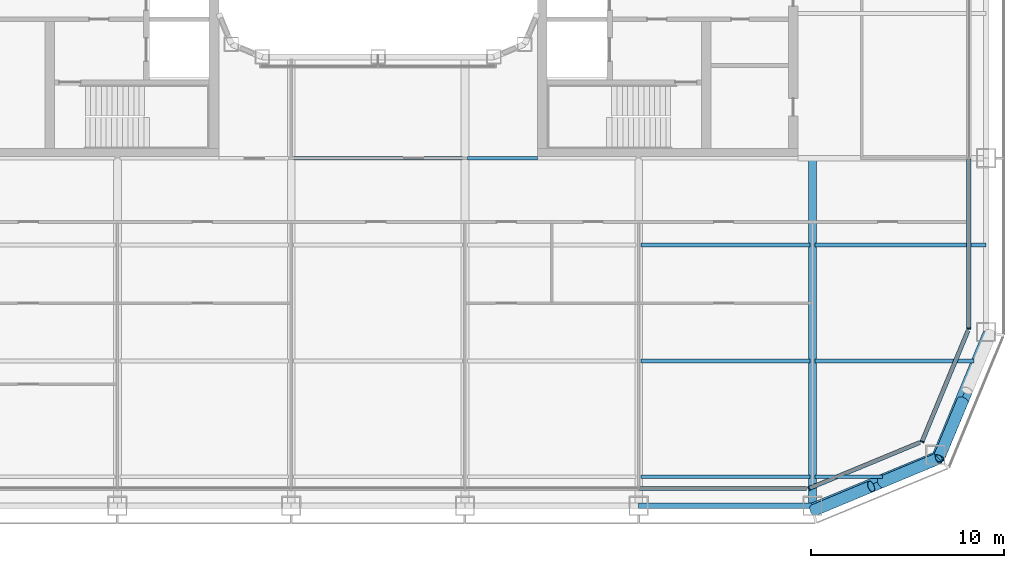
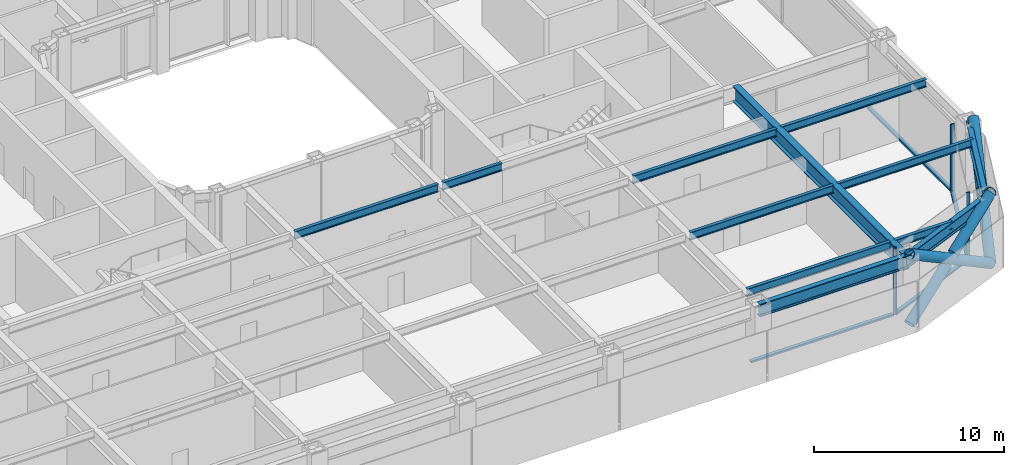
# One storey, part 4 of 28: 12 beams, 12 members, 4 elements without a shape of their own.
"""IFC4 building model written with IfcOpenShell, lengths in metres."""

from ifc_helpers import new_model, si_unit, direction, frame, origin, origin_2d, place, context, subcontext, project, spatial, rectangle, hollow_circle, i_section, extrude, material, layer, layer_set, material_profile, profile_set, type_object, element, aggregate, save


model = new_model("IFC4")

# Units and contexts
model_context = context("Model", 3, precision=1e-05, world=origin(), true_north=direction((0.0, 1.0)))
body_context = subcontext(model_context, "Body", "Model", "MODEL_VIEW")
ifc_project = project(units=[si_unit("LENGTHUNIT", "METRE"), si_unit("AREAUNIT", "SQUARE_METRE"), si_unit("VOLUMEUNIT", "CUBIC_METRE"), si_unit("PLANEANGLEUNIT", "RADIAN"), si_unit("MASSUNIT", "GRAM", prefix="KILO")], contexts=[model_context])

# Site, building, storey
site_placement = place(None, origin())
site = spatial("IfcSite", under=ifc_project, at=site_placement, CompositionType="ELEMENT")
building_placement = place(site_placement, origin())
building = spatial("IfcBuilding", under=site, at=building_placement, Name="Siwar Civic Tower", CompositionType="ELEMENT")
storey_placement = place(building_placement, frame((0.0, 0.0, 85.199951171875)))
storey = spatial("IfcBuildingStorey", under=building, at=storey_placement, Name="L18", CompositionType="ELEMENT", Elevation=85.199951171875)

# Curtain wall, member
ifc_material_1 = material(Name="Aluminium clad insulated panel", Category="aluminium")
ifc_layer_1 = layer(ifc_material_1, 0.219970703125)
ifc_layer_set_1 = layer_set([ifc_layer_1], Name="Aluminium clad insulated panel")
curtain_wall_type_1 = type_object("IfcCurtainWallType", Name="ENV-CW-AX", PredefinedType="NOTDEFINED", material=ifc_layer_set_1)
curtain_wall_1_placement = place(storey_placement, origin())
curtain_wall_1 = element("IfcCurtainWall", 1, at=curtain_wall_1_placement, inside=storey, type_object=curtain_wall_type_1, Name="Curtain wall A SE1", PredefinedType="NOTDEFINED")
ifc_material_2 = material(Name="Aluminium 6063-T6", Category="aluminium")
ifc_material_profile_1 = material_profile(ifc_material_2, rectangle(XDim=0.219970703125, YDim=0.070068359375, at=origin_2d()), Name="AL 220x70")
ifc_profile_set_1 = profile_set([ifc_material_profile_1], Name="Aluminium 6063-T6")
member_type_1 = type_object("IfcMemberType", Name="ENV-MULLION-A", PredefinedType="MULLION", material=ifc_profile_set_1)
member_1_placement = place(storey_placement, frame((22.321044921875, -30.60009765625, 0.0), z_axis=(0.0, 0.0, 1.0), x_axis=(-0.382683432365, 0.923879532511, 0.0)))
member_1 = element("IfcMember", 2, at=member_1_placement, type_object=member_type_1, Name="Mullion A SE1 1", PredefinedType="MULLION", context=body_context, shape_type="SweptSolid", body=[
    extrude(rectangle(XDim=0.219970703125, YDim=0.070068359375, at=origin_2d()), origin(), (0.0, 0.0, 1.0), 4.35009765625),
])

curtain_wall_2_placement = place(storey_placement, origin())
curtain_wall_2 = element("IfcCurtainWall", 3, at=curtain_wall_2_placement, inside=storey, type_object=curtain_wall_type_1, Name="Curtain wall A SE2", PredefinedType="NOTDEFINED")
member_2_placement = place(storey_placement, frame((28.175048828125, -28.175048828125, 0.0), z_axis=(0.0, 0.0, 1.0), x_axis=(-0.923879532511, 0.382683432365, 0.0)))
member_2 = element("IfcMember", 4, at=member_2_placement, type_object=member_type_1, Name="Mullion A SE2 1", PredefinedType="MULLION", context=body_context, shape_type="SweptSolid", body=[
    extrude(rectangle(XDim=0.219970703125, YDim=0.070068359375, at=origin_2d()), origin(), (0.0, 0.0, 1.0), 4.35009765625),
])

ifc_material_3 = material(Name="Aluminium and glass", Category="aluminium")
ifc_layer_2 = layer(ifc_material_3, 0.219970703125)
ifc_layer_set_2 = layer_set([ifc_layer_2], Name="Aluminium and glass")
curtain_wall_type_2 = type_object("IfcCurtainWallType", Name="ENV-CW-A", PredefinedType="NOTDEFINED", material=ifc_layer_set_2)
curtain_wall_3_placement = place(storey_placement, origin())
curtain_wall_3 = element("IfcCurtainWall", 5, at=curtain_wall_3_placement, inside=storey, type_object=curtain_wall_type_2, Name="Curtain wall A E", PredefinedType="NOTDEFINED")
member_3_placement = place(storey_placement, frame((30.60009765625, -22.321044921875, 0.0), z_axis=(0.0, 0.0, 1.0), x_axis=(-1.0, 0.0, 0.0)))
member_3 = element("IfcMember", 6, at=member_3_placement, type_object=member_type_1, Name="Mullion A E 1", PredefinedType="MULLION", context=body_context, shape_type="SweptSolid", body=[
    extrude(rectangle(XDim=0.219970703125, YDim=0.070068359375, at=origin_2d()), origin(), (0.0, 0.0, 1.0), 4.35009765625),
])

curtain_wall_4_placement = place(storey_placement, origin())
curtain_wall_4 = element("IfcCurtainWall", 7, at=curtain_wall_4_placement, inside=storey, type_object=curtain_wall_type_2, Name="Curtain wall A S", PredefinedType="NOTDEFINED")
ifc_material_4 = material(Name="Aluminium 6063-T6", Category="aluminium")
ifc_material_profile_2 = material_profile(ifc_material_4, rectangle(XDim=0.219970703125, YDim=0.1201171875, at=origin_2d()), Name="AL 220x120")
ifc_profile_set_2 = profile_set([ifc_material_profile_2], Name="Aluminium 6063-T6")
member_type_2 = type_object("IfcMemberType", Name="ENV-TRANSOM-A", PredefinedType="USERDEFINED", material=ifc_profile_set_2)
member_4_placement = place(storey_placement, frame((13.534912109375, -30.60009765625, 0.06005859375), z_axis=(1.0, 0.0, 0.0), x_axis=(0.0, 1.0, 0.0)))
member_4 = element("IfcMember", 8, at=member_4_placement, type_object=member_type_2, Name="Transom A S 5", ObjectType="TRANSOM", PredefinedType="USERDEFINED", context=body_context, shape_type="SweptSolid", body=[
    extrude(rectangle(XDim=0.219970703125, YDim=0.1201171875, at=origin_2d()), origin(), (0.0, 0.0, 1.0), 8.66357421875),
])
aggregate(curtain_wall_4, [member_4])

# Member
member_5_placement = place(storey_placement, frame((22.353271484375, -30.586669921875, 0.06005859375), z_axis=(0.923873326341, 0.382698415042, 0.0), x_axis=(-0.382698415042, 0.923873326341, 0.0)))
member_5 = element("IfcMember", 9, at=member_5_placement, type_object=member_type_2, Name="Transom A SE1 1", ObjectType="TRANSOM", PredefinedType="USERDEFINED", context=body_context, shape_type="SweptSolid", body=[
    extrude(rectangle(XDim=0.219970703125, YDim=0.1201171875, at=origin_2d()), origin(), (0.0, 0.0, 1.0), 6.17919921875),
])

aggregate(curtain_wall_1, [member_1, member_5])

member_6_placement = place(storey_placement, frame((28.1884765625, -28.142822265625, 0.06005859375), z_axis=(0.382698415042, 0.923873326341, 0.0), x_axis=(-0.923873326341, 0.382698415042, 0.0)))
member_6 = element("IfcMember", 10, at=member_6_placement, type_object=member_type_2, Name="Transom A SE2 1", ObjectType="TRANSOM", PredefinedType="USERDEFINED", context=body_context, shape_type="SweptSolid", body=[
    extrude(rectangle(XDim=0.219970703125, YDim=0.1201171875, at=origin_2d()), origin(), (0.0, 0.0, 1.0), 6.17919921875),
])

aggregate(curtain_wall_2, [member_2, member_6])

member_7_placement = place(storey_placement, frame((30.60009765625, -22.285888671875, 0.06005859375), z_axis=(0.0, 1.0, 0.0), x_axis=(-1.0, 0.0, 0.0)))
member_7 = element("IfcMember", 11, at=member_7_placement, type_object=member_type_2, Name="Transom A E 1", ObjectType="TRANSOM", PredefinedType="USERDEFINED", context=body_context, shape_type="SweptSolid", body=[
    extrude(rectangle(XDim=0.219970703125, YDim=0.1201171875, at=origin_2d()), origin(), (0.0, 0.0, 1.0), 8.7509765625),
])

aggregate(curtain_wall_3, [member_3, member_7])

# Members
ifc_material_5 = material(Name="Steel S355", Category="steel")
ifc_material_profile_3 = material_profile(ifc_material_5, hollow_circle(Radius=0.304931640625, WallThickness=0.030029296875, at=origin_2d()), Name="CHS610x30")
ifc_profile_set_3 = profile_set([ifc_material_profile_3], Name="Steel S355")
member_type_3 = type_object("IfcMemberType", Name="STR-BR-CHS610x30", PredefinedType="BRACE", material=ifc_profile_set_3)
member_8_placement = place(storey_placement, frame((29.040771484375, -29.040771484375, 0.0), z_axis=(0.323905527954, 0.777554562952, 0.538975055633), x_axis=(-0.923108759191, 0.384538969033, 0.0)))
element("IfcMember", 12, at=member_8_placement, inside=storey, type_object=member_type_3, Name="L18/brc/ASE1-17-0-1", PredefinedType="BRACE", context=body_context, shape_type="SweptSolid", body=[
    extrude(hollow_circle(Radius=0.304931640625, WallThickness=0.030029296875, at=origin_2d()), origin(), (0.0, 0.0, 1.0), 8.34912109375),
])
member_9_placement = place(storey_placement, frame((30.285888671875, -26.052001953125, 2.428466796875), z_axis=(-0.323934068367, -0.777568797048, 0.538937366685), x_axis=(0.923099230484, -0.384561842466, 0.0)))
element("IfcMember", 13, at=member_9_placement, inside=storey, type_object=member_type_3, Name="L18/brc/ASE1-17-0-3", PredefinedType="BRACE", context=body_context, shape_type="SweptSolid", body=[
    extrude(hollow_circle(Radius=0.304931640625, WallThickness=0.030029296875, at=origin_2d()), origin(), (0.0, 0.0, 1.0), 3.84375),
])
member_10_placement = place(storey_placement, frame((29.040771484375, -29.040771484375, 0.0), z_axis=(-0.777554562952, -0.323905527954, 0.538975055633), x_axis=(0.384538969033, -0.923108759191, 0.0)))
element("IfcMember", 14, at=member_10_placement, inside=storey, type_object=member_type_3, Name="L18/brc/ASE1-17-0-0", PredefinedType="BRACE", context=body_context, shape_type="SweptSolid", body=[
    extrude(hollow_circle(Radius=0.304931640625, WallThickness=0.030029296875, at=origin_2d()), origin(), (0.0, 0.0, 1.0), 8.34912109375),
])
member_11_placement = place(storey_placement, frame((22.548828125, -31.7451171875, 0.0), z_axis=(0.777533059308, 0.323882123145, 0.539020140617), x_axis=(-0.384524353215, 0.923114847559, 0.0)))
element("IfcMember", 15, at=member_11_placement, inside=storey, type_object=member_type_3, Name="L18/brc/ASE1-17-0-4", PredefinedType="BRACE", context=body_context, shape_type="SweptSolid", body=[
    extrude(hollow_circle(Radius=0.304931640625, WallThickness=0.030029296875, at=origin_2d()), origin(), (0.0, 0.0, 1.0), 3.843505859375),
])
member_12_placement = place(storey_placement, frame((26.052001953125, -30.285888671875, 2.428466796875), z_axis=(0.777568797048, 0.323934068367, 0.538937366685), x_axis=(-0.384561842466, 0.923099230484, 0.0)))
element("IfcMember", 16, at=member_12_placement, inside=storey, type_object=member_type_3, Name="L18/brc/ASE1-17-0-5", PredefinedType="BRACE", context=body_context, shape_type="SweptSolid", body=[
    extrude(hollow_circle(Radius=0.304931640625, WallThickness=0.030029296875, at=origin_2d()), origin(), (0.0, 0.0, 1.0), 3.84375),
])

# Beams
ifc_material_6 = material(Name="Steel S355", Category="steel")
ifc_material_profile_4 = material_profile(ifc_material_6, i_section(OverallWidth=0.199951171875, OverallDepth=0.5, WebThickness=0.01025390625, FlangeThickness=0.01611328125, FilletRadius=0.02099609375, at=origin_2d()), Name="IPE500")
ifc_profile_set_4 = profile_set([ifc_material_profile_4], Name="Steel S355")
beam_type_1 = type_object("IfcBeamType", Name="STR-FB-IPE500", PredefinedType="JOIST", material=ifc_profile_set_4)
beam_1_placement = place(storey_placement, frame((13.6298828125, -30.0, 4.10009765625), z_axis=(1.0, 0.0, 0.0), x_axis=(0.0, 1.0, 0.0)))
element("IfcBeam", 17, at=beam_1_placement, inside=storey, type_object=beam_type_1, Name="L18/bm/F006", PredefinedType="JOIST", context=body_context, shape_type="SweptSolid", body=[
    extrude(i_section(OverallWidth=0.199951171875, OverallDepth=0.5, WebThickness=0.01025390625, FlangeThickness=0.01611328125, FilletRadius=0.02099609375, at=origin_2d()), origin(), (0.0, 0.0, 1.0), 8.740234375),
])
beam_2_placement = place(storey_placement, frame((22.6298828125, -30.0, 4.10009765625), z_axis=(1.0, 0.0, 0.0), x_axis=(0.0, 1.0, 0.0)))
element("IfcBeam", 18, at=beam_2_placement, inside=storey, type_object=beam_type_1, Name="L18/bm/F007", PredefinedType="JOIST", context=body_context, shape_type="SweptSolid", body=[
    extrude(i_section(OverallWidth=0.199951171875, OverallDepth=0.5, WebThickness=0.01025390625, FlangeThickness=0.01611328125, FilletRadius=0.02099609375, at=origin_2d()), origin(), (0.0, 0.0, 1.0), 3.491455078125),
])
beam_3_placement = place(storey_placement, frame((13.6298828125, -24.0, 4.10009765625), z_axis=(1.0, 0.0, 0.0), x_axis=(0.0, 1.0, 0.0)))
element("IfcBeam", 19, at=beam_3_placement, inside=storey, type_object=beam_type_1, Name="L18/bm/F013", PredefinedType="JOIST", context=body_context, shape_type="SweptSolid", body=[
    extrude(i_section(OverallWidth=0.199951171875, OverallDepth=0.5, WebThickness=0.01025390625, FlangeThickness=0.01611328125, FilletRadius=0.02099609375, at=origin_2d()), origin(), (0.0, 0.0, 1.0), 8.740234375),
])
beam_4_placement = place(storey_placement, frame((22.6298828125, -24.0, 4.10009765625), z_axis=(1.0, 0.0, 0.0), x_axis=(0.0, 1.0, 0.0)))
element("IfcBeam", 20, at=beam_4_placement, inside=storey, type_object=beam_type_1, Name="L18/bm/F014", PredefinedType="JOIST", context=body_context, shape_type="SweptSolid", body=[
    extrude(i_section(OverallWidth=0.199951171875, OverallDepth=0.5, WebThickness=0.01025390625, FlangeThickness=0.01611328125, FilletRadius=0.02099609375, at=origin_2d()), origin(), (0.0, 0.0, 1.0), 8.248779296875),
])
beam_5_placement = place(storey_placement, frame((13.6298828125, -18.0, 4.10009765625), z_axis=(1.0, 0.0, 0.0), x_axis=(0.0, 1.0, 0.0)))
element("IfcBeam", 21, at=beam_5_placement, inside=storey, type_object=beam_type_1, Name="L18/bm/F020", PredefinedType="JOIST", context=body_context, shape_type="SweptSolid", body=[
    extrude(i_section(OverallWidth=0.199951171875, OverallDepth=0.5, WebThickness=0.01025390625, FlangeThickness=0.01611328125, FilletRadius=0.02099609375, at=origin_2d()), origin(), (0.0, 0.0, 1.0), 8.740234375),
])
beam_6_placement = place(storey_placement, frame((22.6298828125, -18.0, 4.10009765625), z_axis=(1.0, 0.0, 0.0), x_axis=(0.0, 1.0, 0.0)))
element("IfcBeam", 22, at=beam_6_placement, inside=storey, type_object=beam_type_1, Name="L18/bm/F021", PredefinedType="JOIST", context=body_context, shape_type="SweptSolid", body=[
    extrude(i_section(OverallWidth=0.199951171875, OverallDepth=0.5, WebThickness=0.01025390625, FlangeThickness=0.01611328125, FilletRadius=0.02099609375, at=origin_2d()), origin(), (0.0, 0.0, 1.0), 8.8701171875),
])
beam_7_placement = place(storey_placement, frame((-4.3701171875, -13.5, 4.10009765625), z_axis=(1.0, 0.0, 0.0), x_axis=(0.0, 1.0, 0.0)))
element("IfcBeam", 23, at=beam_7_placement, inside=storey, type_object=beam_type_1, Name="L18/bm/F026", PredefinedType="JOIST", context=body_context, shape_type="SweptSolid", body=[
    extrude(i_section(OverallWidth=0.199951171875, OverallDepth=0.5, WebThickness=0.01025390625, FlangeThickness=0.01611328125, FilletRadius=0.02099609375, at=origin_2d()), origin(), (0.0, 0.0, 1.0), 8.740234375),
])
beam_8_placement = place(storey_placement, frame((4.6298828125, -13.5, 4.10009765625), z_axis=(1.0, 0.0, 0.0), x_axis=(0.0, 1.0, 0.0)))
element("IfcBeam", 24, at=beam_8_placement, inside=storey, type_object=beam_type_1, Name="L18/bm/F027", PredefinedType="JOIST", context=body_context, shape_type="SweptSolid", body=[
    extrude(i_section(OverallWidth=0.199951171875, OverallDepth=0.5, WebThickness=0.01025390625, FlangeThickness=0.01611328125, FilletRadius=0.02099609375, at=origin_2d()), origin(), (0.0, 0.0, 1.0), 3.6201171875),
])
ifc_material_7 = material(Name="Steel S355", Category="steel")
ifc_material_profile_5 = material_profile(ifc_material_7, i_section(OverallWidth=0.39990234375, OverallDepth=1.0, WebThickness=0.01611328125, FlangeThickness=0.0400390625, at=origin_2d()), Name="PG1000x400x16x40")
ifc_profile_set_5 = profile_set([ifc_material_profile_5], Name="Steel S355")
beam_type_2 = type_object("IfcBeamType", Name="STR-PG-PG1000x400x16x40", PredefinedType="BEAM", material=ifc_profile_set_5)
beam_9_placement = place(storey_placement, frame((22.5, -31.5, 3.85009765625), z_axis=(0.0, 1.0, 0.0), x_axis=(-1.0, 0.0, 0.0)))
element("IfcBeam", 25, at=beam_9_placement, inside=storey, type_object=beam_type_2, Name="L18/bm/G11", PredefinedType="BEAM", context=body_context, shape_type="SweptSolid", body=[
    extrude(i_section(OverallWidth=0.39990234375, OverallDepth=1.0, WebThickness=0.01611328125, FlangeThickness=0.0400390625, at=origin_2d()), origin(), (0.0, 0.0, 1.0), 18.0),
])
ifc_material_8 = material(Name="Steel S355", Category="steel")
ifc_material_profile_6 = material_profile(ifc_material_8, i_section(OverallWidth=0.302978515625, OverallDepth=0.81396484375, WebThickness=0.02099609375, FlangeThickness=0.0400390625, FilletRadius=0.030029296875, at=origin_2d()), Name="HEM800")
ifc_profile_set_6 = profile_set([ifc_material_profile_6], Name="Steel S355")
beam_type_3 = type_object("IfcBeamType", Name="STR-SB-HEM800", PredefinedType="BEAM", material=ifc_profile_set_6)
beam_10_placement = place(storey_placement, frame((13.5, -31.5, 3.943115234375), z_axis=(1.0, 0.0, 0.0), x_axis=(0.0, 1.0, 0.0)))
element("IfcBeam", 26, at=beam_10_placement, inside=storey, type_object=beam_type_3, Name="L18/bm/SS-4", PredefinedType="BEAM", context=body_context, shape_type="SweptSolid", body=[
    extrude(i_section(OverallWidth=0.302978515625, OverallDepth=0.81396484375, WebThickness=0.02099609375, FlangeThickness=0.0400390625, FilletRadius=0.030029296875, at=origin_2d()), origin(), (0.0, 0.0, 1.0), 9.0),
])
for number, where, z_axis, x_axis, name in (
    (27, (22.5, -31.5, 3.943115234375), (0.923883353507, 0.382674207535, 0.0), (-0.382674207535, 0.923883353507, 0.0), "L18/bm/SSE1-0"),
    (28, (28.864013671875, -28.864013671875, 3.943115234375), (0.382674207535, 0.923883353507, 0.0), (-0.923883353507, 0.382674207535, 0.0), "L18/bm/SSE2-0"),
):
    element("IfcBeam", number, at=place(storey_placement, frame(where, z_axis=z_axis, x_axis=x_axis)), inside=storey, type_object=beam_type_3, Name=name, PredefinedType="BEAM", context=body_context, shape_type="SweptSolid", body=[
        extrude(i_section(OverallWidth=0.302978515625, OverallDepth=0.81396484375, WebThickness=0.02099609375, FlangeThickness=0.0400390625, FilletRadius=0.030029296875, at=origin_2d()), origin(), (0.0, 0.0, 1.0), 6.888427734375),
    ])

save(model, "model.ifc")
